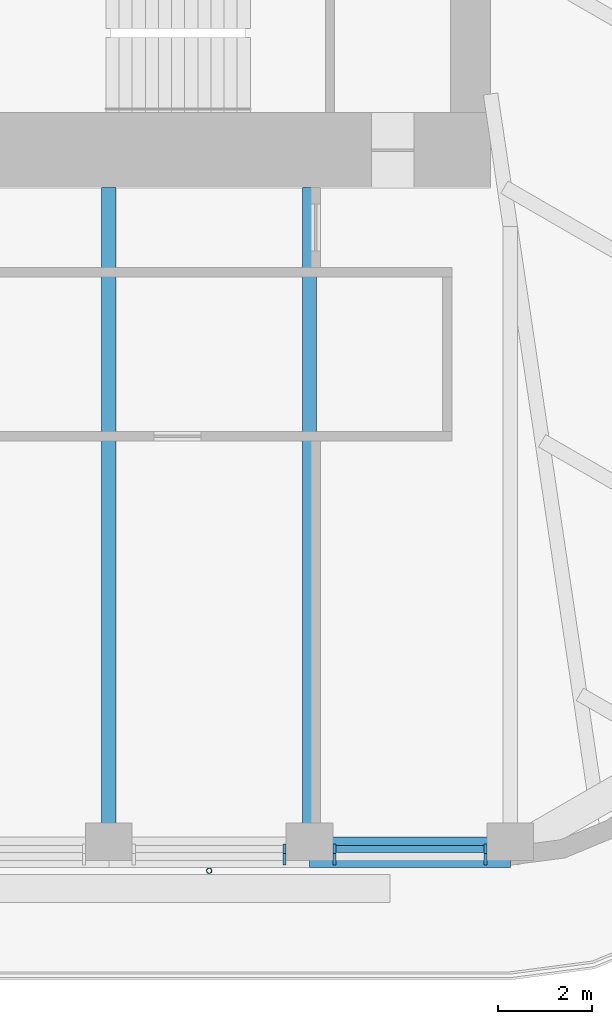
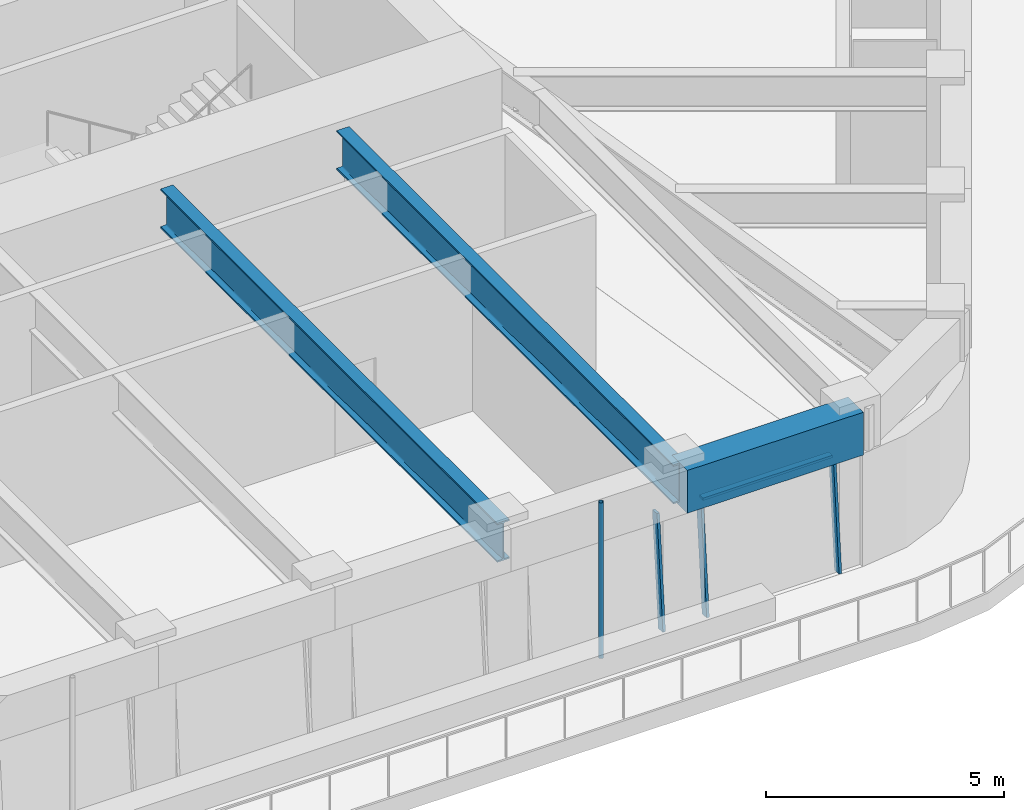
# One storey, part 4 of 19: 5 members, 3 beams, 2 elements without a shape of their own.
"""IFC4 building model written with IfcOpenShell, lengths in metres."""

from ifc_helpers import new_model, si_unit, direction, frame, origin, origin_2d, place, context, subcontext, project, spatial, rectangle, hollow_circle, i_section, extrude, material, material_profile, profile_set, type_object, element, aggregate, save


model = new_model("IFC4")

# Units and contexts
model_context = context("Model", 3, precision=1e-05, world=origin(), true_north=direction((0.0, 1.0)))
body_context = subcontext(model_context, "Body", "Model", "MODEL_VIEW")
ifc_project = project(units=[si_unit("LENGTHUNIT", "METRE"), si_unit("AREAUNIT", "SQUARE_METRE"), si_unit("VOLUMEUNIT", "CUBIC_METRE"), si_unit("PLANEANGLEUNIT", "RADIAN"), si_unit("MASSUNIT", "GRAM", prefix="KILO")], contexts=[model_context])

# Site, building, storey
site_placement = place(None, origin())
site = spatial("IfcSite", under=ifc_project, at=site_placement, CompositionType="ELEMENT")
building_placement = place(site_placement, origin())
building = spatial("IfcBuilding", under=site, at=building_placement, Name="Tarfa Lantern Tower", CompositionType="ELEMENT")
storey_placement = place(building_placement, frame((0.0, 0.0, 349.300048828125)))
storey = spatial("IfcBuildingStorey", under=building, at=storey_placement, Name="L79", CompositionType="ELEMENT", Elevation=349.300048828125)

# Curtain wall, member
ifc_material_1 = material(Name="Aluminium framed curtain wall", Category="aluminium")
curtain_wall_type = type_object("IfcCurtainWallType", Name="CW4 CANTED GLAZING EXECUTIVE ZONE 2900", PredefinedType="USERDEFINED", material=ifc_material_1)
curtain_wall_1_placement = place(storey_placement, origin())
curtain_wall_1 = element("IfcCurtainWall", 1, at=curtain_wall_1_placement, inside=storey, type_object=curtain_wall_type, Name="CW4 S L79", ObjectType="CURTAIN WALL", PredefinedType="USERDEFINED")
ifc_material_2 = material(Name="Aluminium mullion", Category="aluminium")
ifc_material_profile_1 = material_profile(ifc_material_2, rectangle(XDim=0.06494140625, YDim=0.199951171875, at=origin_2d()), Name="AL MULLION 65x200")
ifc_profile_set_1 = profile_set([ifc_material_profile_1], Name="Aluminium mullion")
member_type_1 = type_object("IfcMemberType", Name="CWM1 MULLION 65x200", PredefinedType="MULLION", material=ifc_profile_set_1)
member_1_placement = place(storey_placement, frame((8.031494140625, -26.64990234375, 0.0), z_axis=(0.0, 0.085891213166, 0.99630452147), x_axis=(-1.0, 0.0, 0.0)))
member_1 = element("IfcMember", 2, at=member_1_placement, type_object=member_type_1, Name="CW4 mullion 2", PredefinedType="MULLION", context=body_context, shape_type="SweptSolid", body=[
    extrude(rectangle(XDim=0.06494140625, YDim=0.199951171875, at=origin_2d()), origin(), (0.0, 0.0, 1.0), 2.91064453125),
])
aggregate(curtain_wall_1, [member_1])

# Curtain wall, members
curtain_wall_2_placement = place(storey_placement, origin())
curtain_wall_2 = element("IfcCurtainWall", 3, at=curtain_wall_2_placement, inside=storey, type_object=curtain_wall_type, Name="CW4 S L79", ObjectType="CURTAIN WALL", PredefinedType="USERDEFINED")
member_2_placement = place(storey_placement, frame((9.096435546875, -26.64990234375, 0.0), z_axis=(0.0, 0.085891213166, 0.99630452147), x_axis=(-1.0, 0.0, 0.0)))
member_2 = element("IfcMember", 4, at=member_2_placement, type_object=member_type_1, Name="CW4 mullion 1", PredefinedType="MULLION", context=body_context, shape_type="SweptSolid", body=[
    extrude(rectangle(XDim=0.06494140625, YDim=0.199951171875, at=origin_2d()), origin(), (0.0, 0.0, 1.0), 2.91064453125),
])
member_3_placement = place(storey_placement, frame((12.3134765625, -26.64990234375, 0.0), z_axis=(0.0, 0.085891213166, 0.99630452147), x_axis=(-1.0, 0.0, 0.0)))
member_3 = element("IfcMember", 5, at=member_3_placement, type_object=member_type_1, Name="CW4 mullion 2", PredefinedType="MULLION", context=body_context, shape_type="SweptSolid", body=[
    extrude(rectangle(XDim=0.06494140625, YDim=0.199951171875, at=origin_2d()), origin(), (0.0, 0.0, 1.0), 2.91064453125),
])
ifc_material_3 = material(Name="Aluminium transom", Category="aluminium")
ifc_material_profile_2 = material_profile(ifc_material_3, rectangle(XDim=0.14990234375, YDim=0.06494140625, at=origin_2d()), Name="AL TRANSOM 150x65")
ifc_profile_set_2 = profile_set([ifc_material_profile_2], Name="Aluminium transom")
member_type_2 = type_object("IfcMemberType", Name="CWT1 TRANSOM 150x65", PredefinedType="USERDEFINED", material=ifc_profile_set_2)
member_4_placement = place(storey_placement, frame((9.129150390625, -26.40283203125, 2.867431640625), z_axis=(1.0, 0.0, 0.0), x_axis=(0.0, 1.0, 0.0)))
member_4 = element("IfcMember", 6, at=member_4_placement, type_object=member_type_2, Name="CW4 transom 1.2", ObjectType="TRANSOM", PredefinedType="USERDEFINED", context=body_context, shape_type="SweptSolid", body=[
    extrude(rectangle(XDim=0.14990234375, YDim=0.06494140625, at=origin_2d()), origin(), (0.0, 0.0, 1.0), 3.15185546875),
])
aggregate(curtain_wall_2, [member_2, member_3, member_4])

# Beam
ifc_material_4 = material(Name="Concrete C80/95", Category="concrete")
ifc_material_profile_3 = material_profile(ifc_material_4, rectangle(XDim=0.64990234375, YDim=1.10009765625, at=origin_2d()), Name="RC 650x1100")
ifc_profile_set_3 = profile_set([ifc_material_profile_3], Name="Concrete C80/95")
beam_type_1 = type_object("IfcBeamType", Name="EB4 RC 650x1100", PredefinedType="SPANDREL", material=ifc_profile_set_3)
beam_placement = place(storey_placement, frame((8.56396484375, -26.469970703125, 3.449951171875), z_axis=(1.0, 0.0, 0.0), x_axis=(0.0, 1.0, 0.0)))
element("IfcBeam", 7, at=beam_placement, inside=storey, type_object=beam_type_1, Name="Edge beam S5", PredefinedType="SPANDREL", context=body_context, shape_type="SweptSolid", body=[
    extrude(rectangle(XDim=0.64990234375, YDim=1.10009765625, at=origin_2d()), origin(), (0.0, 0.0, 1.0), 4.281982421875),
])

# Member
ifc_material_5 = material(Name="Steel S355", Category="steel")
ifc_material_profile_4 = material_profile(ifc_material_5, hollow_circle(Radius=0.05712890625, WallThickness=0.00634765625, at=origin_2d()), Name="CHS114.3x6.3")
ifc_profile_set_4 = profile_set([ifc_material_profile_4], Name="Steel S355")
member_type_3 = type_object("IfcMemberType", Name="TR1 GREEN WALL TRELLIS CHS114.3x6.3", PredefinedType="USERDEFINED", material=ifc_profile_set_4)
member_5_placement = place(storey_placement, frame((6.423095703125, -26.8701171875, 0.0), z_axis=(0.0, 0.0, 1.0), x_axis=(1.0, 0.0, 0.0)))
element("IfcMember", 8, at=member_5_placement, inside=storey, type_object=member_type_3, Name="Trellis post S 2", ObjectType="TRELLIS", PredefinedType="USERDEFINED", context=body_context, shape_type="SweptSolid", body=[
    extrude(hollow_circle(Radius=0.05712890625, WallThickness=0.00634765625, at=origin_2d()), origin(), (0.0, 0.0, 1.0), 4.0),
])

# Beams
ifc_material_6 = material(Name="Steel S460M", Category="steel")
ifc_material_profile_5 = material_profile(ifc_material_6, i_section(OverallWidth=0.302001953125, OverallDepth=1.008056640625, WebThickness=0.02099609375, FlangeThickness=0.0400390625, FilletRadius=0.030029296875, at=origin_2d()), Name="UB1016x305x349")
ifc_profile_set_5 = profile_set([ifc_material_profile_5], Name="Steel S460M")
beam_type_2 = type_object("IfcBeamType", Name="UB1016x305x349", PredefinedType="BEAM", material=ifc_profile_set_5)
for number, where, z_axis, x_axis, name in (
    (9, (4.281982421875, -26.469970703125, 3.495849609375), (0.0, 1.0, 0.0), (-1.0, 0.0, 0.0), "Floor beam S4"),
    (10, (8.56396484375, -26.469970703125, 3.495849609375), (0.0, 1.0, 0.0), (-1.0, 0.0, 0.0), "Floor beam S5"),
):
    element("IfcBeam", number, at=place(storey_placement, frame(where, z_axis=z_axis, x_axis=x_axis)), inside=storey, type_object=beam_type_2, Name=name, PredefinedType="BEAM", context=body_context, shape_type="SweptSolid", body=[
        extrude(i_section(OverallWidth=0.302001953125, OverallDepth=1.008056640625, WebThickness=0.02099609375, FlangeThickness=0.0400390625, FilletRadius=0.030029296875, at=origin_2d()), origin(), (0.0, 0.0, 1.0), 14.169921875),
    ])

save(model, "model.ifc")
